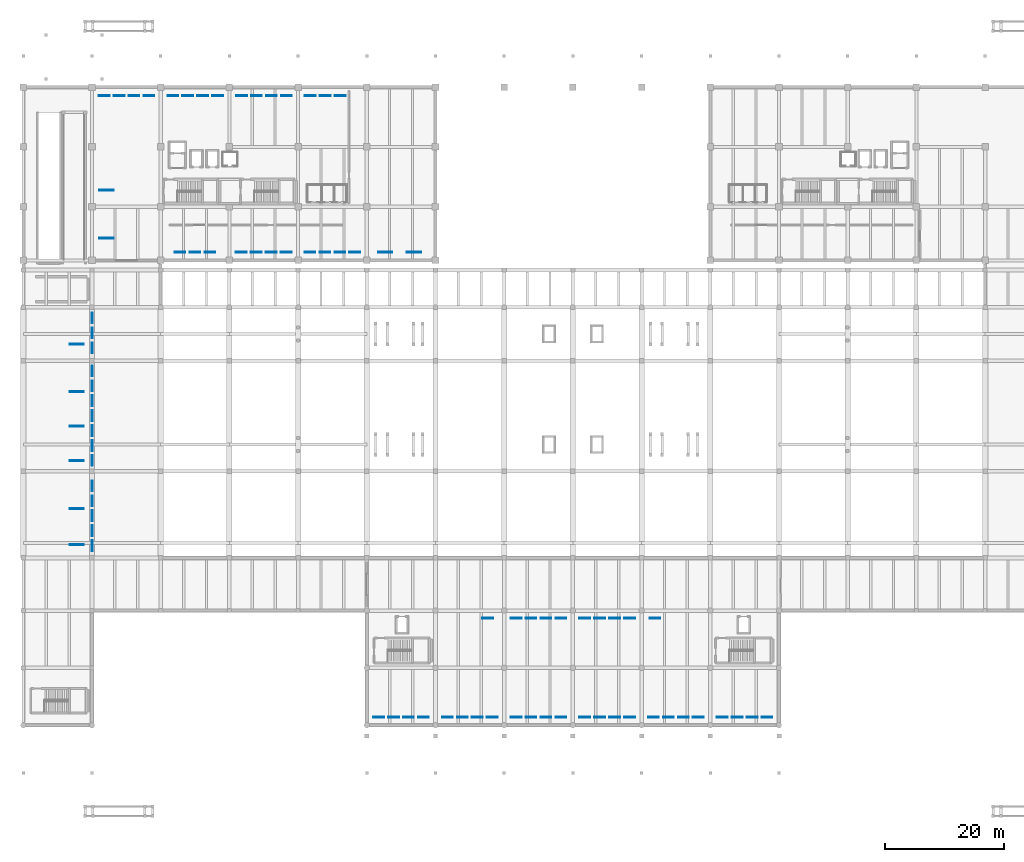
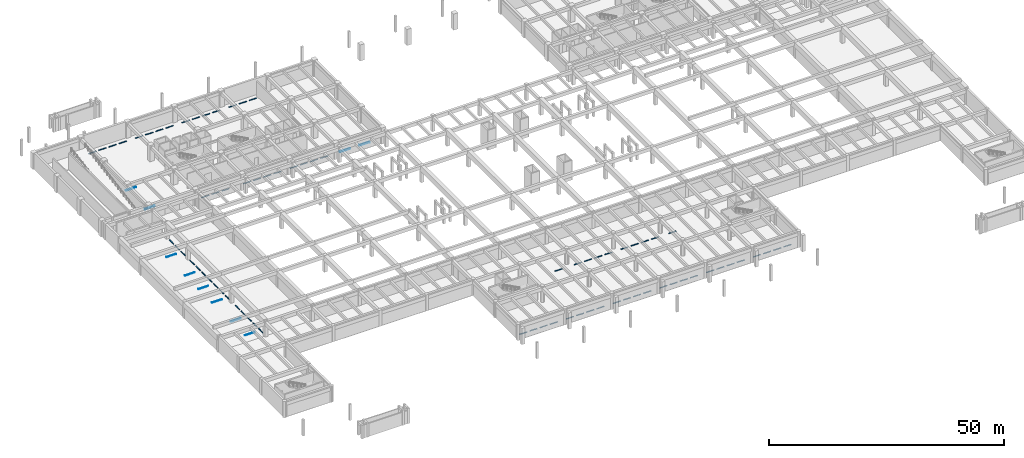
# One storey, part 17 of 20: 85 discrete accessories.
"""IFC4 building model written with IfcOpenShell, lengths in metres."""

from ifc_helpers import new_model, si_unit, direction, frame, origin, origin_2d, place, context, subcontext, project, spatial, rectangle, extrude, material, type_object, element, save


model = new_model("IFC4")

# Units and contexts
model_context = context("Model", 3, precision=1e-05, world=origin(), true_north=direction((0.0, 1.0)))
body_context = subcontext(model_context, "Body", "Model", "MODEL_VIEW")
ifc_project = project(units=[si_unit("LENGTHUNIT", "METRE"), si_unit("AREAUNIT", "SQUARE_METRE"), si_unit("VOLUMEUNIT", "CUBIC_METRE"), si_unit("PLANEANGLEUNIT", "RADIAN"), si_unit("MASSUNIT", "GRAM", prefix="KILO")], contexts=[model_context])

# Site, building, storey
site_placement = place(None, origin())
site = spatial("IfcSite", under=ifc_project, at=site_placement, CompositionType="ELEMENT")
building_placement = place(site_placement, origin())
building = spatial("IfcBuilding", under=site, at=building_placement, Name="Ologun Quay Terminus", CompositionType="ELEMENT")
storey_placement = place(building_placement, frame((0.0, 0.0, -4.199951171875)))
storey = spatial("IfcBuildingStorey", under=building, at=storey_placement, Name="B01", CompositionType="ELEMENT", Elevation=-4.199951171875)

# Discrete accessories
ifc_material_1 = material(Name="Concrete C40/50", Category="concrete")
discrete_accessory_type_1 = type_object("IfcDiscreteAccessoryType", Name="Accessible Parking Bay Wheel Stop 2400", PredefinedType="USERDEFINED", material=ifc_material_1)
for number, where, z_axis, x_axis, name in (
    (1, (60.60009765625, 87.199951171875, 0.0), (0.0, 0.0, 1.0), (1.0, 0.0, 0.0), "Accessible Parking Bay Wheel Stop B01-A01"),
    (2, (65.39990234375, 87.199951171875, 0.0), (0.0, 0.0, 1.0), (1.0, 0.0, 0.0), "Accessible Parking Bay Wheel Stop B01-A02"),
    (3, (13.949951171875, 89.550048828125, 0.0), (0.0, 0.0, 1.0), (1.0, 0.0, 0.0), "Accessible Parking Bay Wheel Stop B01-A03"),
    (4, (13.949951171875, 97.550048828125, 0.0), (0.0, 0.0, 1.0), (1.0, 0.0, 0.0), "Accessible Parking Bay Wheel Stop B01-A04"),
    (5, (8.949951171875, 38.25, 0.0), (0.0, 0.0, 1.0), (1.0, 0.0, 0.0), "Accessible Parking Bay Wheel Stop B01-A05"),
    (6, (8.949951171875, 44.25, 0.0), (0.0, 0.0, 1.0), (1.0, 0.0, 0.0), "Accessible Parking Bay Wheel Stop B01-A06"),
    (7, (8.949951171875, 52.25, 0.0), (0.0, 0.0, 1.0), (1.0, 0.0, 0.0), "Accessible Parking Bay Wheel Stop B01-A07"),
    (8, (8.949951171875, 58.050048828125, 0.0), (0.0, 0.0, 1.0), (1.0, 0.0, 0.0), "Accessible Parking Bay Wheel Stop B01-A08"),
    (9, (8.949951171875, 63.85009765625, 0.0), (0.0, 0.0, 1.0), (1.0, 0.0, 0.0), "Accessible Parking Bay Wheel Stop B01-A09"),
    (10, (8.949951171875, 71.75, 0.0), (0.0, 0.0, 1.0), (1.0, 0.0, 0.0), "Accessible Parking Bay Wheel Stop B01-A10"),
):
    element("IfcDiscreteAccessory", number, at=place(storey_placement, frame(where, z_axis=z_axis, x_axis=x_axis)), inside=storey, type_object=discrete_accessory_type_1, Name=name, ObjectType="WHEEL STOP", PredefinedType="USERDEFINED", context=body_context, shape_type="SweptSolid", body=[
        extrude(rectangle(XDim=2.39990234375, YDim=0.159912109375, at=origin_2d()), origin(), (0.0, 0.0, 1.0), 0.1201171875),
    ])
ifc_material_2 = material(Name="Concrete C40/50", Category="concrete")
discrete_accessory_type_2 = type_object("IfcDiscreteAccessoryType", Name="Precast Car Parking Wheel Stop 1800", PredefinedType="USERDEFINED", material=ifc_material_2)
for number, where, z_axis, x_axis, name in (
    (11, (59.5, 9.35009765625, 0.0), (0.0, 0.0, 1.0), (1.0, 0.0, 0.0), "Car Parking Bay Wheel Stop B01-076"),
    (12, (62.0, 9.35009765625, 0.0), (0.0, 0.0, 1.0), (1.0, 0.0, 0.0), "Car Parking Bay Wheel Stop B01-077"),
    (13, (64.5, 9.35009765625, 0.0), (0.0, 0.0, 1.0), (1.0, 0.0, 0.0), "Car Parking Bay Wheel Stop B01-078"),
    (14, (67.0, 9.35009765625, 0.0), (0.0, 0.0, 1.0), (1.0, 0.0, 0.0), "Car Parking Bay Wheel Stop B01-079"),
    (15, (71.0, 9.35009765625, 0.0), (0.0, 0.0, 1.0), (1.0, 0.0, 0.0), "Car Parking Bay Wheel Stop B01-080"),
    (16, (73.5, 9.35009765625, 0.0), (0.0, 0.0, 1.0), (1.0, 0.0, 0.0), "Car Parking Bay Wheel Stop B01-081"),
    (17, (76.0, 9.35009765625, 0.0), (0.0, 0.0, 1.0), (1.0, 0.0, 0.0), "Car Parking Bay Wheel Stop B01-082"),
    (18, (78.5, 9.35009765625, 0.0), (0.0, 0.0, 1.0), (1.0, 0.0, 0.0), "Car Parking Bay Wheel Stop B01-083"),
    (19, (82.5, 9.35009765625, 0.0), (0.0, 0.0, 1.0), (1.0, 0.0, 0.0), "Car Parking Bay Wheel Stop B01-084"),
    (20, (85.0, 9.35009765625, 0.0), (0.0, 0.0, 1.0), (1.0, 0.0, 0.0), "Car Parking Bay Wheel Stop B01-085"),
    (21, (87.5, 9.35009765625, 0.0), (0.0, 0.0, 1.0), (1.0, 0.0, 0.0), "Car Parking Bay Wheel Stop B01-086"),
    (22, (90.0, 9.35009765625, 0.0), (0.0, 0.0, 1.0), (1.0, 0.0, 0.0), "Car Parking Bay Wheel Stop B01-087"),
    (23, (94.0, 9.35009765625, 0.0), (0.0, 0.0, 1.0), (1.0, 0.0, 0.0), "Car Parking Bay Wheel Stop B01-088"),
    (24, (96.5, 9.35009765625, 0.0), (0.0, 0.0, 1.0), (1.0, 0.0, 0.0), "Car Parking Bay Wheel Stop B01-089"),
    (25, (99.0, 9.35009765625, 0.0), (0.0, 0.0, 1.0), (1.0, 0.0, 0.0), "Car Parking Bay Wheel Stop B01-090"),
    (26, (101.5, 9.35009765625, 0.0), (0.0, 0.0, 1.0), (1.0, 0.0, 0.0), "Car Parking Bay Wheel Stop B01-091"),
    (27, (105.5, 9.35009765625, 0.0), (0.0, 0.0, 1.0), (1.0, 0.0, 0.0), "Car Parking Bay Wheel Stop B01-092"),
    (28, (108.0, 9.35009765625, 0.0), (0.0, 0.0, 1.0), (1.0, 0.0, 0.0), "Car Parking Bay Wheel Stop B01-093"),
    (29, (110.5, 9.35009765625, 0.0), (0.0, 0.0, 1.0), (1.0, 0.0, 0.0), "Car Parking Bay Wheel Stop B01-094"),
    (30, (113.0, 9.35009765625, 0.0), (0.0, 0.0, 1.0), (1.0, 0.0, 0.0), "Car Parking Bay Wheel Stop B01-095"),
    (31, (117.0, 9.35009765625, 0.0), (0.0, 0.0, 1.0), (1.0, 0.0, 0.0), "Car Parking Bay Wheel Stop B01-096"),
    (32, (119.5, 9.35009765625, 0.0), (0.0, 0.0, 1.0), (1.0, 0.0, 0.0), "Car Parking Bay Wheel Stop B01-097"),
    (33, (122.0, 9.35009765625, 0.0), (0.0, 0.0, 1.0), (1.0, 0.0, 0.0), "Car Parking Bay Wheel Stop B01-098"),
    (34, (124.5, 9.35009765625, 0.0), (0.0, 0.0, 1.0), (1.0, 0.0, 0.0), "Car Parking Bay Wheel Stop B01-099"),
    (35, (77.75, 25.89990234375, 0.0), (0.0, 0.0, 1.0), (1.0, 0.0, 0.0), "Car Parking Bay Wheel Stop B01-100"),
    (36, (82.5, 25.89990234375, 0.0), (0.0, 0.0, 1.0), (1.0, 0.0, 0.0), "Car Parking Bay Wheel Stop B01-101"),
    (37, (85.0, 25.89990234375, 0.0), (0.0, 0.0, 1.0), (1.0, 0.0, 0.0), "Car Parking Bay Wheel Stop B01-102"),
    (38, (87.5, 25.89990234375, 0.0), (0.0, 0.0, 1.0), (1.0, 0.0, 0.0), "Car Parking Bay Wheel Stop B01-103"),
    (39, (90.0, 25.89990234375, 0.0), (0.0, 0.0, 1.0), (1.0, 0.0, 0.0), "Car Parking Bay Wheel Stop B01-104"),
    (40, (94.0, 25.89990234375, 0.0), (0.0, 0.0, 1.0), (1.0, 0.0, 0.0), "Car Parking Bay Wheel Stop B01-105"),
    (41, (96.5, 25.89990234375, 0.0), (0.0, 0.0, 1.0), (1.0, 0.0, 0.0), "Car Parking Bay Wheel Stop B01-106"),
    (42, (99.0, 25.89990234375, 0.0), (0.0, 0.0, 1.0), (1.0, 0.0, 0.0), "Car Parking Bay Wheel Stop B01-107"),
    (43, (101.5, 25.89990234375, 0.0), (0.0, 0.0, 1.0), (1.0, 0.0, 0.0), "Car Parking Bay Wheel Stop B01-108"),
    (44, (105.75, 25.89990234375, 0.0), (0.0, 0.0, 1.0), (1.0, 0.0, 0.0), "Car Parking Bay Wheel Stop B01-109"),
    (45, (11.550048828125, 38.050048828125, 0.0), (0.0, 0.0, 1.0), (0.0, 1.0, 0.0), "Car Parking Bay Wheel Stop B01-110"),
    (46, (11.550048828125, 40.550048828125, 0.0), (0.0, 0.0, 1.0), (0.0, 1.0, 0.0), "Car Parking Bay Wheel Stop B01-111"),
    (47, (11.550048828125, 43.050048828125, 0.0), (0.0, 0.0, 1.0), (0.0, 1.0, 0.0), "Car Parking Bay Wheel Stop B01-112"),
    (48, (11.550048828125, 45.550048828125, 0.0), (0.0, 0.0, 1.0), (0.0, 1.0, 0.0), "Car Parking Bay Wheel Stop B01-113"),
    (49, (11.550048828125, 48.050048828125, 0.0), (0.0, 0.0, 1.0), (0.0, 1.0, 0.0), "Car Parking Bay Wheel Stop B01-114"),
    (50, (11.550048828125, 52.300048828125, 0.0), (0.0, 0.0, 1.0), (0.0, 1.0, 0.0), "Car Parking Bay Wheel Stop B01-115"),
    (51, (11.550048828125, 54.800048828125, 0.0), (0.0, 0.0, 1.0), (0.0, 1.0, 0.0), "Car Parking Bay Wheel Stop B01-116"),
    (52, (11.550048828125, 57.300048828125, 0.0), (0.0, 0.0, 1.0), (0.0, 1.0, 0.0), "Car Parking Bay Wheel Stop B01-117"),
    (53, (11.550048828125, 59.800048828125, 0.0), (0.0, 0.0, 1.0), (0.0, 1.0, 0.0), "Car Parking Bay Wheel Stop B01-118"),
    (54, (11.550048828125, 62.300048828125, 0.0), (0.0, 0.0, 1.0), (0.0, 1.0, 0.0), "Car Parking Bay Wheel Stop B01-119"),
    (55, (11.550048828125, 64.800048828125, 0.0), (0.0, 0.0, 1.0), (0.0, 1.0, 0.0), "Car Parking Bay Wheel Stop B01-120"),
    (56, (11.550048828125, 67.300048828125, 0.0), (0.0, 0.0, 1.0), (0.0, 1.0, 0.0), "Car Parking Bay Wheel Stop B01-121"),
    (57, (11.550048828125, 71.14990234375, 0.0), (0.0, 0.0, 1.0), (0.0, 1.0, 0.0), "Car Parking Bay Wheel Stop B01-122"),
    (58, (11.550048828125, 73.64990234375, 0.0), (0.0, 0.0, 1.0), (0.0, 1.0, 0.0), "Car Parking Bay Wheel Stop B01-123"),
    (59, (11.550048828125, 76.14990234375, 0.0), (0.0, 0.0, 1.0), (0.0, 1.0, 0.0), "Car Parking Bay Wheel Stop B01-124"),
    (60, (13.550048828125, 113.35009765625, 0.0), (0.0, 0.0, 1.0), (1.0, 0.0, 0.0), "Car Parking Bay Wheel Stop B01-125"),
    (61, (16.050048828125, 113.35009765625, 0.0), (0.0, 0.0, 1.0), (1.0, 0.0, 0.0), "Car Parking Bay Wheel Stop B01-126"),
    (62, (18.550048828125, 113.35009765625, 0.0), (0.0, 0.0, 1.0), (1.0, 0.0, 0.0), "Car Parking Bay Wheel Stop B01-127"),
    (63, (21.050048828125, 113.35009765625, 0.0), (0.0, 0.0, 1.0), (1.0, 0.0, 0.0), "Car Parking Bay Wheel Stop B01-128"),
    (64, (25.050048828125, 113.35009765625, 0.0), (0.0, 0.0, 1.0), (1.0, 0.0, 0.0), "Car Parking Bay Wheel Stop B01-129"),
    (65, (27.550048828125, 113.35009765625, 0.0), (0.0, 0.0, 1.0), (1.0, 0.0, 0.0), "Car Parking Bay Wheel Stop B01-130"),
    (66, (30.050048828125, 113.35009765625, 0.0), (0.0, 0.0, 1.0), (1.0, 0.0, 0.0), "Car Parking Bay Wheel Stop B01-131"),
    (67, (32.550048828125, 113.35009765625, 0.0), (0.0, 0.0, 1.0), (1.0, 0.0, 0.0), "Car Parking Bay Wheel Stop B01-132"),
    (68, (36.550048828125, 113.35009765625, 0.0), (0.0, 0.0, 1.0), (1.0, 0.0, 0.0), "Car Parking Bay Wheel Stop B01-133"),
    (69, (39.050048828125, 113.35009765625, 0.0), (0.0, 0.0, 1.0), (1.0, 0.0, 0.0), "Car Parking Bay Wheel Stop B01-134"),
    (70, (41.550048828125, 113.35009765625, 0.0), (0.0, 0.0, 1.0), (1.0, 0.0, 0.0), "Car Parking Bay Wheel Stop B01-135"),
    (71, (44.050048828125, 113.35009765625, 0.0), (0.0, 0.0, 1.0), (1.0, 0.0, 0.0), "Car Parking Bay Wheel Stop B01-136"),
    (72, (48.050048828125, 113.35009765625, 0.0), (0.0, 0.0, 1.0), (1.0, 0.0, 0.0), "Car Parking Bay Wheel Stop B01-137"),
    (73, (50.550048828125, 113.35009765625, 0.0), (0.0, 0.0, 1.0), (1.0, 0.0, 0.0), "Car Parking Bay Wheel Stop B01-138"),
    (74, (53.050048828125, 113.35009765625, 0.0), (0.0, 0.0, 1.0), (1.0, 0.0, 0.0), "Car Parking Bay Wheel Stop B01-139"),
    (75, (26.25, 87.199951171875, 0.0), (0.0, 0.0, 1.0), (1.0, 0.0, 0.0), "Car Parking Bay Wheel Stop B01-140"),
    (76, (28.75, 87.199951171875, 0.0), (0.0, 0.0, 1.0), (1.0, 0.0, 0.0), "Car Parking Bay Wheel Stop B01-141"),
    (77, (31.25, 87.199951171875, 0.0), (0.0, 0.0, 1.0), (1.0, 0.0, 0.0), "Car Parking Bay Wheel Stop B01-142"),
    (78, (36.5, 87.199951171875, 0.0), (0.0, 0.0, 1.0), (1.0, 0.0, 0.0), "Car Parking Bay Wheel Stop B01-143"),
    (79, (39.0, 87.199951171875, 0.0), (0.0, 0.0, 1.0), (1.0, 0.0, 0.0), "Car Parking Bay Wheel Stop B01-144"),
    (80, (41.5, 87.199951171875, 0.0), (0.0, 0.0, 1.0), (1.0, 0.0, 0.0), "Car Parking Bay Wheel Stop B01-145"),
    (81, (44.0, 87.199951171875, 0.0), (0.0, 0.0, 1.0), (1.0, 0.0, 0.0), "Car Parking Bay Wheel Stop B01-146"),
    (82, (48.0, 87.199951171875, 0.0), (0.0, 0.0, 1.0), (1.0, 0.0, 0.0), "Car Parking Bay Wheel Stop B01-147"),
    (83, (50.5, 87.199951171875, 0.0), (0.0, 0.0, 1.0), (1.0, 0.0, 0.0), "Car Parking Bay Wheel Stop B01-148"),
    (84, (53.0, 87.199951171875, 0.0), (0.0, 0.0, 1.0), (1.0, 0.0, 0.0), "Car Parking Bay Wheel Stop B01-149"),
    (85, (55.5, 87.199951171875, 0.0), (0.0, 0.0, 1.0), (1.0, 0.0, 0.0), "Car Parking Bay Wheel Stop B01-150"),
):
    element("IfcDiscreteAccessory", number, at=place(storey_placement, frame(where, z_axis=z_axis, x_axis=x_axis)), inside=storey, type_object=discrete_accessory_type_2, Name=name, ObjectType="WHEEL STOP", PredefinedType="USERDEFINED", context=body_context, shape_type="SweptSolid", body=[
        extrude(rectangle(XDim=1.800048828125, YDim=0.159912109375, at=origin_2d()), origin(), (0.0, 0.0, 1.0), 0.1201171875),
    ])

save(model, "model.ifc")
